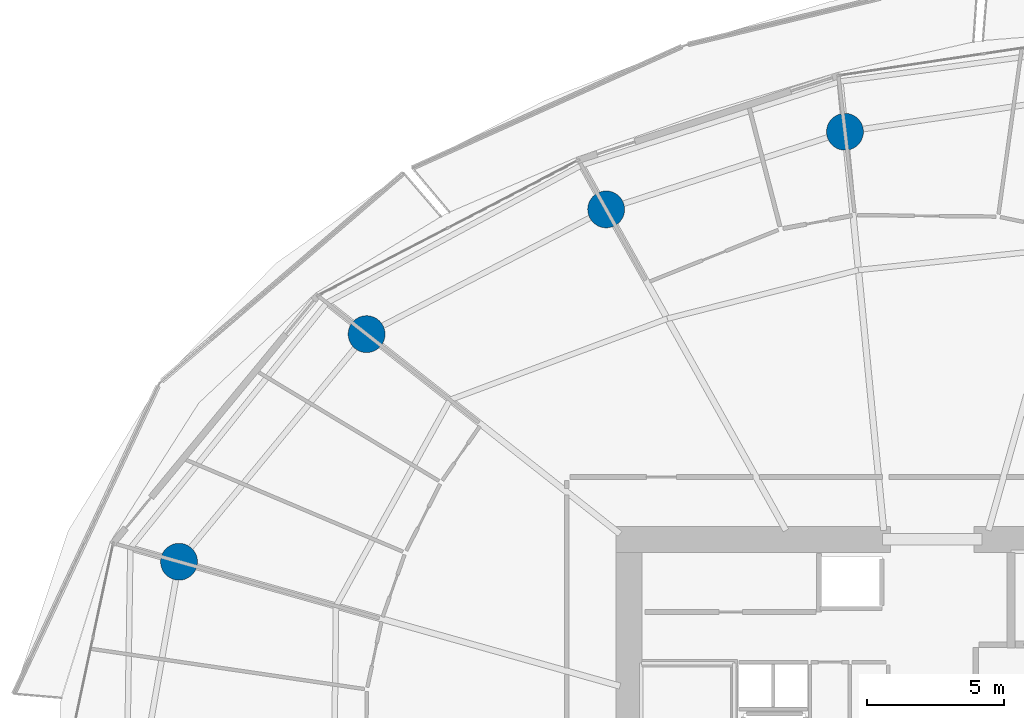
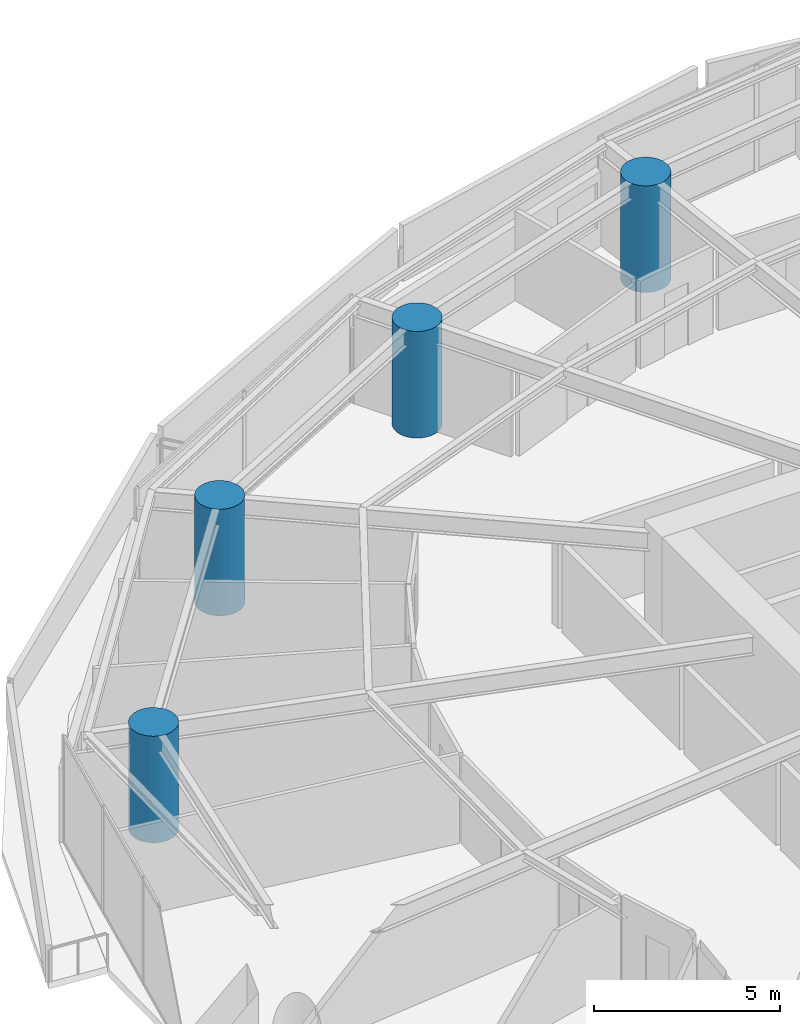
# One storey, part 4 of 31: 4 columns.
"""IFC4 building model written with IfcOpenShell, lengths in metres."""

from ifc_helpers import new_model, si_unit, direction, frame, origin, origin_2d, place, context, subcontext, project, spatial, circle, extrude, material, material_profile, profile_set, type_object, element, save


model = new_model("IFC4")

# Units and contexts
model_context = context("Model", 3, precision=1e-05, world=origin(), true_north=direction((0.0, 1.0)))
body_context = subcontext(model_context, "Body", "Model", "MODEL_VIEW")
ifc_project = project(units=[si_unit("LENGTHUNIT", "METRE"), si_unit("AREAUNIT", "SQUARE_METRE"), si_unit("VOLUMEUNIT", "CUBIC_METRE"), si_unit("PLANEANGLEUNIT", "RADIAN"), si_unit("MASSUNIT", "GRAM", prefix="KILO")], contexts=[model_context])

# Site, building, storey
site_placement = place(None, origin())
site = spatial("IfcSite", under=ifc_project, at=site_placement, CompositionType="ELEMENT")
building_placement = place(site_placement, origin())
building = spatial("IfcBuilding", under=site, at=building_placement, Name="Kazma Halo Residences", CompositionType="ELEMENT")
storey_placement = place(building_placement, frame((0.0, 0.0, 30.14990234375)))
storey = spatial("IfcBuildingStorey", under=building, at=storey_placement, Name="L06", CompositionType="ELEMENT", Elevation=30.14990234375)

# Columns
ifc_material = material(Name="Concrete C80/95", Category="concrete")
ifc_material_profile = material_profile(ifc_material, circle(Radius=0.675048828125, at=origin_2d()), Name="CIRC1350")
ifc_profile_set = profile_set([ifc_material_profile], Name="Concrete C80/95")
column_type = type_object("IfcColumnType", Name="COL-PERIM-1350", PredefinedType="COLUMN", material=ifc_profile_set)
for number, where, z_axis, x_axis, name in (
    (1, (45.231689453125, 65.389404296875, 0.0), (0.0, 0.0, 1.0), (1.0, 0.0, 0.0), "L06 perimeter ring column P04"),
    (2, (36.49169921875, 62.549560546875, 0.0), (0.0, 0.0, 1.0), (1.0, 0.0, 0.0), "L06 perimeter ring column P05"),
    (3, (27.72412109375, 57.984130859375, 0.0), (0.0, 0.0, 1.0), (1.0, 0.0, 0.0), "L06 perimeter ring column P06"),
    (4, (20.859130859375, 49.654541015625, 0.0), (0.0, 0.0, 1.0), (1.0, 0.0, 0.0), "L06 perimeter ring column P07"),
):
    element("IfcColumn", number, at=place(storey_placement, frame(where, z_axis=z_axis, x_axis=x_axis)), inside=storey, type_object=column_type, Name=name, PredefinedType="COLUMN", context=body_context, shape_type="SweptSolid", body=[
        extrude(circle(Radius=0.675048828125, at=origin_2d()), origin(), (0.0, 0.0, 1.0), 3.5),
    ])

save(model, "model.ifc")
